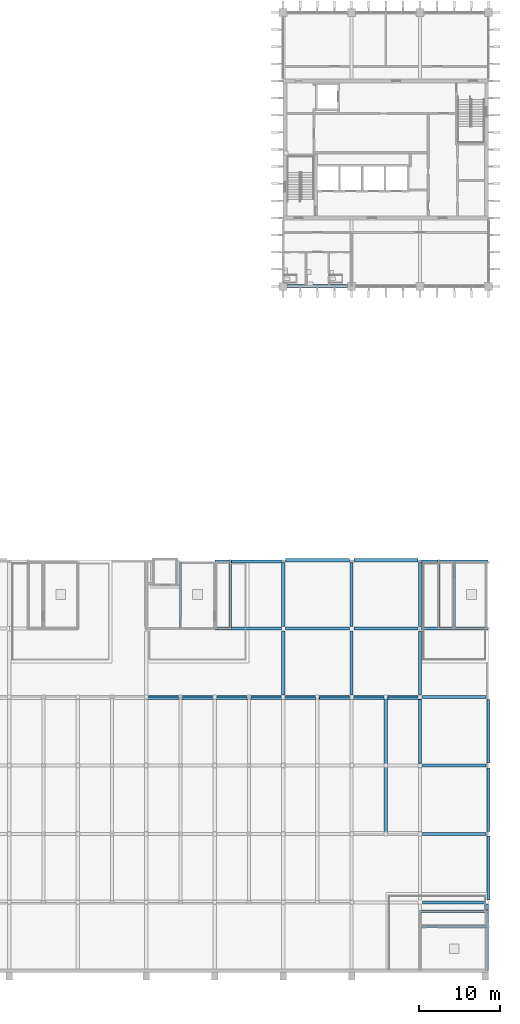
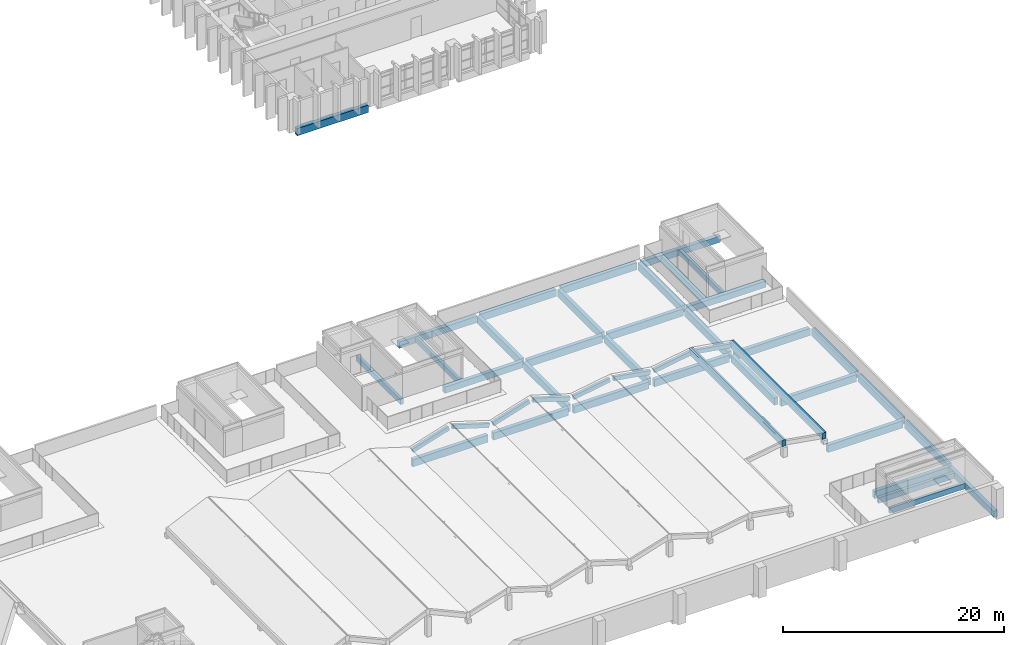
# One storey, part 3 of 24: 44 beams.
"""IFC4 building model written with IfcOpenShell, lengths in metres."""

from ifc_helpers import new_model, si_unit, direction, frame, origin, origin_2d, place, context, subcontext, project, spatial, rectangle, extrude, material, material_profile, profile_set, type_object, element, save


model = new_model("IFC4")

# Units and contexts
model_context = context("Model", 3, precision=1e-05, world=origin(), true_north=direction((0.0, 1.0)))
body_context = subcontext(model_context, "Body", "Model", "MODEL_VIEW")
ifc_project = project(units=[si_unit("LENGTHUNIT", "METRE"), si_unit("AREAUNIT", "SQUARE_METRE"), si_unit("VOLUMEUNIT", "CUBIC_METRE"), si_unit("PLANEANGLEUNIT", "RADIAN"), si_unit("MASSUNIT", "GRAM", prefix="KILO")], contexts=[model_context])

# Site, building, storey
site_placement = place(None, origin())
site = spatial("IfcSite", under=ifc_project, at=site_placement, CompositionType="ELEMENT")
building_placement = place(site_placement, origin())
building = spatial("IfcBuilding", under=site, at=building_placement, Name="Rulbaag Community and Learning Centre", CompositionType="ELEMENT")
storey_placement = place(building_placement, frame((0.0, 0.0, 14.39990234375)))
storey = spatial("IfcBuildingStorey", under=building, at=storey_placement, Name="L03", CompositionType="ELEMENT", Elevation=14.39990234375)

# Beams
ifc_material = material(Name="Concrete M40", Category="concrete")
ifc_material_profile_1 = material_profile(ifc_material, rectangle(XDim=0.300048828125, YDim=0.60009765625, at=origin_2d()), Name="RB300x600")
ifc_profile_set_1 = profile_set([ifc_material_profile_1], Name="Concrete M40")
beam_type_1 = type_object("IfcBeamType", Name="B31 Trimmer beam 300x600 Concrete M40", PredefinedType="BEAM", material=ifc_profile_set_1)
beam_1_placement = place(storey_placement, frame((130.199951171875, 42.199951171875, -0.599853515625), z_axis=(0.0, 1.0, 0.0), x_axis=(-1.0, 0.0, 0.0)))
element("IfcBeam", 1, at=beam_1_placement, inside=storey, type_object=beam_type_1, Name="BM-TR-SH3-W", PredefinedType="BEAM", context=body_context, shape_type="SweptSolid", body=[
    extrude(rectangle(XDim=0.300048828125, YDim=0.60009765625, at=origin_2d()), origin(), (0.0, 0.0, 1.0), 8.0),
])
beam_2_placement = place(storey_placement, frame((136.300048828125, 42.10009765625, -0.599853515625), z_axis=(0.0, 1.0, 0.0), x_axis=(-1.0, 0.0, 0.0)))
element("IfcBeam", 2, at=beam_2_placement, inside=storey, type_object=beam_type_1, Name="BM-LB-SH3-O", PredefinedType="BEAM", context=body_context, shape_type="SweptSolid", body=[
    extrude(rectangle(XDim=0.300048828125, YDim=0.60009765625, at=origin_2d()), origin(), (0.0, 0.0, 1.0), 8.199951171875),
])
beam_3_placement = place(storey_placement, frame((163.800048828125, 42.199951171875, -0.599853515625), z_axis=(0.0, 1.0, 0.0), x_axis=(-1.0, 0.0, 0.0)))
element("IfcBeam", 3, at=beam_3_placement, inside=storey, type_object=beam_type_1, Name="BM-TR-SH4-W", PredefinedType="BEAM", context=body_context, shape_type="SweptSolid", body=[
    extrude(rectangle(XDim=0.300048828125, YDim=0.60009765625, at=origin_2d()), origin(), (0.0, 0.0, 1.0), 8.0),
])
beam_4_placement = place(storey_placement, frame((161.89990234375, 42.10009765625, -0.599853515625), z_axis=(0.0, 1.0, 0.0), x_axis=(-1.0, 0.0, 0.0)))
element("IfcBeam", 4, at=beam_4_placement, inside=storey, type_object=beam_type_1, Name="BM-LB-SH4-O", PredefinedType="BEAM", context=body_context, shape_type="SweptSolid", body=[
    extrude(rectangle(XDim=0.300048828125, YDim=0.60009765625, at=origin_2d()), origin(), (0.0, 0.0, 1.0), 8.199951171875),
])
beam_5_placement = place(storey_placement, frame((159.800048828125, 5.39990234375, -0.599853515625), z_axis=(1.0, 0.0, 0.0), x_axis=(0.0, 1.0, 0.0)))
element("IfcBeam", 5, at=beam_5_placement, inside=storey, type_object=beam_type_1, Name="BM-TR-SH10-N1", PredefinedType="BEAM", context=body_context, shape_type="SweptSolid", body=[
    extrude(rectangle(XDim=0.300048828125, YDim=0.60009765625, at=origin_2d()), origin(), (0.0, 0.0, 1.0), 8.0),
])
beam_6_placement = place(storey_placement, frame((159.699951171875, 7.300048828125, -0.599853515625), z_axis=(1.0, 0.0, 0.0), x_axis=(0.0, 1.0, 0.0)))
element("IfcBeam", 6, at=beam_6_placement, inside=storey, type_object=beam_type_1, Name="BM-LB-SH10-O", PredefinedType="BEAM", context=body_context, shape_type="SweptSolid", body=[
    extrude(rectangle(XDim=0.300048828125, YDim=0.60009765625, at=origin_2d()), origin(), (0.0, 0.0, 1.0), 8.199951171875),
])
ifc_material_profile_2 = material_profile(ifc_material, rectangle(XDim=0.39990234375, YDim=0.699951171875, at=origin_2d()), Name="RB400x700")
ifc_profile_set_2 = profile_set([ifc_material_profile_2], Name="Concrete M40")
beam_type_2 = type_object("IfcBeamType", Name="B34 Lobby girder 400x700 Concrete M40", PredefinedType="BEAM", material=ifc_profile_set_2)
for number, where, z_axis, x_axis, name in (
    (7, (134.449951171875, 42.0, -0.599853515625), (1.0, 0.0, 0.0), (0.0, 1.0, 0.0), "BM-LBG-SH3-420"),
    (8, (134.449951171875, 50.22509765625, -0.599853515625), (1.0, 0.0, 0.0), (0.0, 1.0, 0.0), "BM-LBG-SH3-504"),
):
    element("IfcBeam", number, at=place(storey_placement, frame(where, z_axis=z_axis, x_axis=x_axis)), inside=storey, type_object=beam_type_2, Name=name, PredefinedType="BEAM", context=body_context, shape_type="SweptSolid", body=[
        extrude(rectangle(XDim=0.39990234375, YDim=0.699951171875, at=origin_2d()), origin(), (0.0, 0.0, 1.0), 8.150146484375),
    ])
for number, where, z_axis, x_axis, name in (
    (9, (159.800048828125, 42.0, -0.599853515625), (1.0, 0.0, 0.0), (0.0, 1.0, 0.0), "BM-LBG-SH4-420"),
    (10, (159.800048828125, 50.22509765625, -0.599853515625), (1.0, 0.0, 0.0), (0.0, 1.0, 0.0), "BM-LBG-SH4-504"),
    (11, (167.824951171875, 0.050048828125, -0.599853515625), (0.0, 1.0, 0.0), (-1.0, 0.0, 0.0), "BM-LBG-SH10-1680"),
):
    element("IfcBeam", number, at=place(storey_placement, frame(where, z_axis=z_axis, x_axis=x_axis)), inside=storey, type_object=beam_type_2, Name=name, PredefinedType="BEAM", context=body_context, shape_type="SweptSolid", body=[
        extrude(rectangle(XDim=0.39990234375, YDim=0.699951171875, at=origin_2d()), origin(), (0.0, 0.0, 1.0), 8.14990234375),
    ])
ifc_material_profile_3 = material_profile(ifc_material, rectangle(XDim=0.39990234375, YDim=0.699951171875, at=origin_2d()), Name="RB400x700")
ifc_profile_set_3 = profile_set([ifc_material_profile_3], Name="Concrete M40")
beam_type_3 = type_object("IfcBeamType", Name="B35 Roof fold beam 400x700 Concrete M40", PredefinedType="BEAM", material=ifc_profile_set_3)
for number, where, z_axis, x_axis, name in (
    (12, (159.60009765625, 16.800048828125, 0.75), (0.0, 1.0, 0.0), (-1.0, 0.0, 0.0), "BM-RF-VC19-2"),
    (13, (155.39990234375, 16.800048828125, 1.416748046875), (0.0, 1.0, 0.0), (-1.0, 0.0, 0.0), "BM-RF-RC19-1"),
):
    element("IfcBeam", number, at=place(storey_placement, frame(where, z_axis=z_axis, x_axis=x_axis)), inside=storey, type_object=beam_type_3, Name=name, PredefinedType="BEAM", context=body_context, shape_type="SweptSolid", body=[
        extrude(rectangle(XDim=0.39990234375, YDim=0.699951171875, at=origin_2d()), origin(), (0.0, 0.0, 1.0), 16.800048828125),
    ])
ifc_material_profile_4 = material_profile(ifc_material, rectangle(XDim=0.300048828125, YDim=0.449951171875, at=origin_2d()), Name="RB300x450")
ifc_profile_set_4 = profile_set([ifc_material_profile_4], Name="Concrete M40")
beam_type_4 = type_object("IfcBeamType", Name="B36 Fold end rib 300x450 Concrete M40", PredefinedType="BEAM", material=ifc_profile_set_4)
for number, where, z_axis, x_axis, name in (
    (14, (126.199951171875, 33.449951171875, 0.75390625), (0.955298685473, 0.0, 0.295642387917), (0.0, 1.0, 0.0), "BM-RF-EB13-4a2"),
    (15, (130.39990234375, 33.449951171875, 1.929931640625), (0.955298685473, 0.0, -0.295642387917), (0.0, 1.0, 0.0), "BM-RF-EB13-4b2"),
):
    element("IfcBeam", number, at=place(storey_placement, frame(where, z_axis=z_axis, x_axis=x_axis)), inside=storey, type_object=beam_type_4, Name=name, PredefinedType="BEAM", context=body_context, shape_type="SweptSolid", body=[
        extrude(rectangle(XDim=0.300048828125, YDim=0.449951171875, at=origin_2d()), origin(), (0.0, 0.0, 1.0), 3.977783203125),
    ])
beam_7_placement = place(storey_placement, frame((134.60009765625, 33.449951171875, 0.75390625), z_axis=(0.955293320573, 0.0, 0.29565972277), x_axis=(0.0, 1.0, 0.0)))
element("IfcBeam", 16, at=beam_7_placement, inside=storey, type_object=beam_type_4, Name="BM-RF-EB13-5a2", PredefinedType="BEAM", context=body_context, shape_type="SweptSolid", body=[
    extrude(rectangle(XDim=0.300048828125, YDim=0.449951171875, at=origin_2d()), origin(), (0.0, 0.0, 1.0), 3.9775390625),
])
beam_8_placement = place(storey_placement, frame((138.800048828125, 33.449951171875, 1.929931640625), z_axis=(0.955298685473, 0.0, -0.295642387917), x_axis=(0.0, 1.0, 0.0)))
element("IfcBeam", 17, at=beam_8_placement, inside=storey, type_object=beam_type_4, Name="BM-RF-EB13-5b2", PredefinedType="BEAM", context=body_context, shape_type="SweptSolid", body=[
    extrude(rectangle(XDim=0.300048828125, YDim=0.449951171875, at=origin_2d()), origin(), (0.0, 0.0, 1.0), 3.977783203125),
])
for number, where, z_axis, x_axis, name in (
    (18, (143.0, 33.449951171875, 0.73095703125), (0.986385358709, 0.0, 0.164450369794), (0.0, 1.0, 0.0), "BM-RF-EB13-6a2"),
    (19, (147.199951171875, 33.449951171875, 1.364501953125), (0.986385358709, 0.0, -0.164450369794), (0.0, 1.0, 0.0), "BM-RF-EB13-6b2"),
    (20, (151.39990234375, 33.449951171875, 0.73095703125), (0.986385358709, 0.0, 0.164450369794), (0.0, 1.0, 0.0), "BM-RF-EC19-1a2"),
):
    element("IfcBeam", number, at=place(storey_placement, frame(where, z_axis=z_axis, x_axis=x_axis)), inside=storey, type_object=beam_type_4, Name=name, PredefinedType="BEAM", context=body_context, shape_type="SweptSolid", body=[
        extrude(rectangle(XDim=0.300048828125, YDim=0.449951171875, at=origin_2d()), origin(), (0.0, 0.0, 1.0), 3.8525390625),
    ])
beam_9_placement = place(storey_placement, frame((155.60009765625, 33.449951171875, 1.364501953125), z_axis=(0.98638364472, 0.0, -0.164460650093), x_axis=(0.0, 1.0, 0.0)))
element("IfcBeam", 21, at=beam_9_placement, inside=storey, type_object=beam_type_4, Name="BM-RF-EC19-1b2", PredefinedType="BEAM", context=body_context, shape_type="SweptSolid", body=[
    extrude(rectangle(XDim=0.300048828125, YDim=0.449951171875, at=origin_2d()), origin(), (0.0, 0.0, 1.0), 3.852294921875),
])
ifc_material_profile_5 = material_profile(ifc_material, rectangle(XDim=0.39990234375, YDim=0.800048828125, at=origin_2d()), Name="RB400x800")
ifc_profile_set_5 = profile_set([ifc_material_profile_5], Name="Concrete M40")
beam_type_5 = type_object("IfcBeamType", Name="B9 Terrace beam 400x800 Concrete M40", PredefinedType="BEAM", material=ifc_profile_set_5)
for number, where, z_axis, x_axis, name in (
    (22, (126.280029296875, 33.60009765625, -0.699951171875), (1.0, 0.0, 0.0), (0.0, 1.0, 0.0), "BM-L03-16E-17E"),
    (23, (134.679931640625, 33.60009765625, -0.699951171875), (1.0, 0.0, 0.0), (0.0, 1.0, 0.0), "BM-L03-17E-18E"),
):
    element("IfcBeam", number, at=place(storey_placement, frame(where, z_axis=z_axis, x_axis=x_axis)), inside=storey, type_object=beam_type_5, Name=name, PredefinedType="BEAM", context=body_context, shape_type="SweptSolid", body=[
        extrude(rectangle(XDim=0.39990234375, YDim=0.800048828125, at=origin_2d()), origin(), (0.0, 0.0, 1.0), 7.840087890625),
    ])
beam_10_placement = place(storey_placement, frame((143.080078125, 33.60009765625, -0.699951171875), z_axis=(1.0, 0.0, 0.0), x_axis=(0.0, 1.0, 0.0)))
element("IfcBeam", 24, at=beam_10_placement, inside=storey, type_object=beam_type_5, Name="BM-L03-18E-19E", PredefinedType="BEAM", context=body_context, shape_type="SweptSolid", body=[
    extrude(rectangle(XDim=0.39990234375, YDim=0.800048828125, at=origin_2d()), origin(), (0.0, 0.0, 1.0), 7.83984375),
])
beam_11_placement = place(storey_placement, frame((142.800048828125, 33.8798828125, -0.699951171875), z_axis=(0.0, 1.0, 0.0), x_axis=(-1.0, 0.0, 0.0)))
element("IfcBeam", 25, at=beam_11_placement, inside=storey, type_object=beam_type_5, Name="BM-L03-18E-18F", PredefinedType="BEAM", context=body_context, shape_type="SweptSolid", body=[
    extrude(rectangle(XDim=0.39990234375, YDim=0.800048828125, at=origin_2d()), origin(), (0.0, 0.0, 1.0), 7.840087890625),
])
beam_12_placement = place(storey_placement, frame((143.080078125, 42.0, -0.699951171875), z_axis=(1.0, 0.0, 0.0), x_axis=(0.0, 1.0, 0.0)))
element("IfcBeam", 26, at=beam_12_placement, inside=storey, type_object=beam_type_5, Name="BM-L03-18F-19F", PredefinedType="BEAM", context=body_context, shape_type="SweptSolid", body=[
    extrude(rectangle(XDim=0.39990234375, YDim=0.800048828125, at=origin_2d()), origin(), (0.0, 0.0, 1.0), 7.83984375),
])
beam_13_placement = place(storey_placement, frame((142.800048828125, 42.280029296875, -0.699951171875), z_axis=(0.0, 1.0, 0.0), x_axis=(-1.0, 0.0, 0.0)))
element("IfcBeam", 27, at=beam_13_placement, inside=storey, type_object=beam_type_5, Name="BM-L03-18F-18G", PredefinedType="BEAM", context=body_context, shape_type="SweptSolid", body=[
    extrude(rectangle(XDim=0.39990234375, YDim=0.800048828125, at=origin_2d()), origin(), (0.0, 0.0, 1.0), 7.840087890625),
])
beam_14_placement = place(storey_placement, frame((143.080078125, 50.39990234375, -0.699951171875), z_axis=(1.0, 0.0, 0.0), x_axis=(0.0, 1.0, 0.0)))
element("IfcBeam", 28, at=beam_14_placement, inside=storey, type_object=beam_type_5, Name="BM-L03-18G-19G", PredefinedType="BEAM", context=body_context, shape_type="SweptSolid", body=[
    extrude(rectangle(XDim=0.39990234375, YDim=0.800048828125, at=origin_2d()), origin(), (0.0, 0.0, 1.0), 7.83984375),
])
beam_15_placement = place(storey_placement, frame((143.280029296875, 84.0, -0.699951171875), z_axis=(1.0, 0.0, 0.0), x_axis=(0.0, 1.0, 0.0)))
element("IfcBeam", 29, at=beam_15_placement, inside=storey, type_object=beam_type_5, Name="BM-L03-18K-19K", PredefinedType="BEAM", context=body_context, shape_type="SweptSolid", body=[
    extrude(rectangle(XDim=0.39990234375, YDim=0.800048828125, at=origin_2d()), origin(), (0.0, 0.0, 1.0), 7.43994140625),
])
for number, where, z_axis, x_axis, name in (
    (30, (151.47998046875, 33.60009765625, -0.699951171875), (1.0, 0.0, 0.0), (0.0, 1.0, 0.0), "BM-L03-19E-20E"),
    (31, (151.199951171875, 33.8798828125, -0.699951171875), (0.0, 1.0, 0.0), (-1.0, 0.0, 0.0), "BM-L03-19E-19F"),
    (32, (151.47998046875, 42.0, -0.699951171875), (1.0, 0.0, 0.0), (0.0, 1.0, 0.0), "BM-L03-19F-20F"),
    (33, (151.199951171875, 42.280029296875, -0.699951171875), (0.0, 1.0, 0.0), (-1.0, 0.0, 0.0), "BM-L03-19F-19G"),
    (34, (151.47998046875, 50.39990234375, -0.699951171875), (1.0, 0.0, 0.0), (0.0, 1.0, 0.0), "BM-L03-19G-20G"),
    (35, (159.8798828125, 8.39990234375, -0.699951171875), (1.0, 0.0, 0.0), (0.0, 1.0, 0.0), "BM-L03-20B-21B"),
    (36, (159.8798828125, 16.800048828125, -0.699951171875), (1.0, 0.0, 0.0), (0.0, 1.0, 0.0), "BM-L03-20C-21C"),
    (37, (159.8798828125, 25.199951171875, -0.699951171875), (1.0, 0.0, 0.0), (0.0, 1.0, 0.0), "BM-L03-20D-21D"),
    (38, (159.60009765625, 25.47998046875, -0.699951171875), (0.0, 1.0, 0.0), (-1.0, 0.0, 0.0), "BM-L03-20D-20E"),
    (39, (159.8798828125, 33.60009765625, -0.699951171875), (1.0, 0.0, 0.0), (0.0, 1.0, 0.0), "BM-L03-20E-21E"),
    (40, (159.60009765625, 33.8798828125, -0.699951171875), (0.0, 1.0, 0.0), (-1.0, 0.0, 0.0), "BM-L03-20E-20F"),
    (41, (159.60009765625, 42.280029296875, -0.699951171875), (0.0, 1.0, 0.0), (-1.0, 0.0, 0.0), "BM-L03-20F-20G"),
    (42, (168.0, 8.679931640625, -0.699951171875), (0.0, 1.0, 0.0), (-1.0, 0.0, 0.0), "BM-L03-21B-21C"),
):
    element("IfcBeam", number, at=place(storey_placement, frame(where, z_axis=z_axis, x_axis=x_axis)), inside=storey, type_object=beam_type_5, Name=name, PredefinedType="BEAM", context=body_context, shape_type="SweptSolid", body=[
        extrude(rectangle(XDim=0.39990234375, YDim=0.800048828125, at=origin_2d()), origin(), (0.0, 0.0, 1.0), 7.840087890625),
    ])
beam_16_placement = place(storey_placement, frame((168.0, 17.080078125, -0.699951171875), z_axis=(0.0, 1.0, 0.0), x_axis=(-1.0, 0.0, 0.0)))
element("IfcBeam", 43, at=beam_16_placement, inside=storey, type_object=beam_type_5, Name="BM-L03-21C-21D", PredefinedType="BEAM", context=body_context, shape_type="SweptSolid", body=[
    extrude(rectangle(XDim=0.39990234375, YDim=0.800048828125, at=origin_2d()), origin(), (0.0, 0.0, 1.0), 7.83984375),
])
beam_17_placement = place(storey_placement, frame((168.0, 25.47998046875, -0.699951171875), z_axis=(0.0, 1.0, 0.0), x_axis=(-1.0, 0.0, 0.0)))
element("IfcBeam", 44, at=beam_17_placement, inside=storey, type_object=beam_type_5, Name="BM-L03-21D-21E", PredefinedType="BEAM", context=body_context, shape_type="SweptSolid", body=[
    extrude(rectangle(XDim=0.39990234375, YDim=0.800048828125, at=origin_2d()), origin(), (0.0, 0.0, 1.0), 7.840087890625),
])

save(model, "model.ifc")
